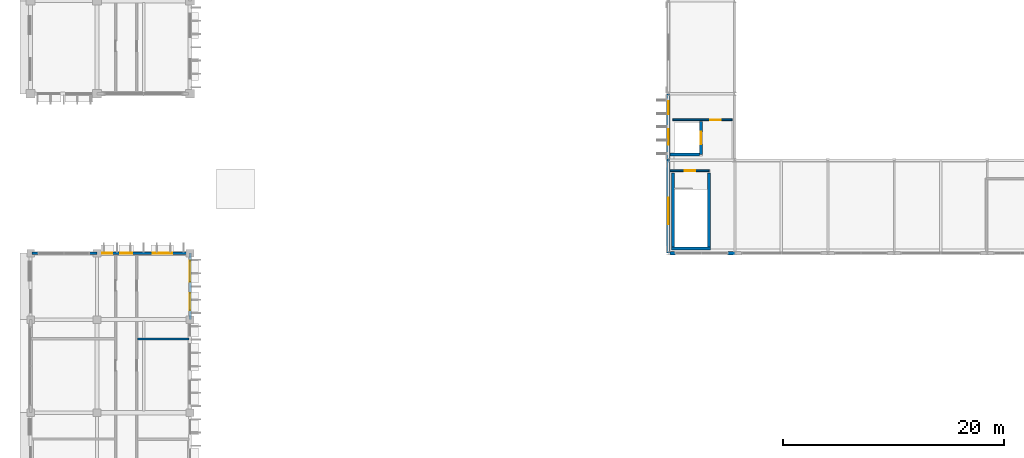
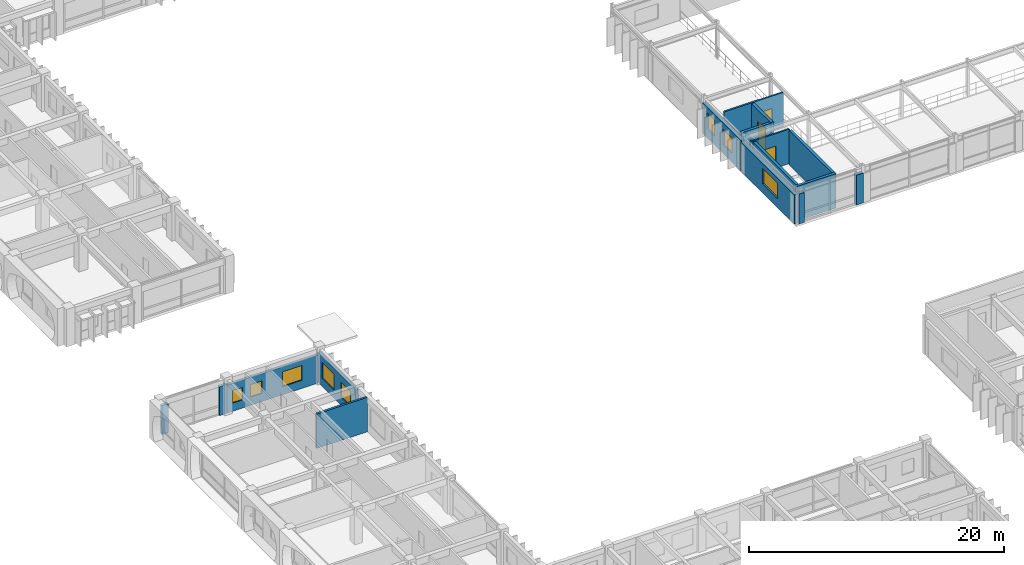
# One storey, part 50 of 88: 16 walls, 8 windows, 3 doors, 11 openings.
"""IFC4 building model written with IfcOpenShell, lengths in metres."""

import ifcopenshell
import ifcopenshell.guid

model = None  # the IFC model being written
_history = None  # IfcOwnerHistory: only IFC2X3 demands one
_inside = {}  # id of a spatial element -> (the spatial element, [elements in it])
_under = {}  # id of a project, library or spatial element -> (it, [spatial elements below it])
_declared = {}  # id of a project -> (the project, [libraries it declares])
_typed = {}  # id of a type object -> (the type object, [elements of that type])
_made_of = {}  # id of a material, layer set ... -> (it, [elements and type objects made of it])


def new_model(schema):
    """Start an empty IFC model of exactly this schema.

    Asked for "IFC4X3", IfcOpenShell would pick the latest addendum, in which some entities
    have other attributes; the version numbers below select the first issue.
    IFC2X3 requires an IfcOwnerHistory on every rooted entity: one is made here for all.
    """
    global model, _history
    if schema == "IFC4X3":
        model = ifcopenshell.file(schema_version=(4, 3, 0, 0))
    else:
        model = ifcopenshell.file(schema=schema)
    _inside.clear()
    _under.clear()
    _declared.clear()
    _typed.clear()
    _made_of.clear()
    _history = None
    if model.schema == "IFC2X3":
        org = make("IfcOrganization", Name="unknown")
        user = make(
            "IfcPersonAndOrganization",
            ThePerson=make("IfcPerson", FamilyName="unknown"),
            TheOrganization=org,
        )
        app = make(
            "IfcApplication",
            ApplicationDeveloper=org,
            Version="unknown",
            ApplicationFullName="unknown",
            ApplicationIdentifier="unknown",
        )
        _history = make(
            "IfcOwnerHistory",
            OwningUser=user,
            OwningApplication=app,
            ChangeAction="ADDED",
            CreationDate=0,
        )
    return model


def make(cls, **values):
    """One entity of the class cls with the attributes given. An attribute that is None is left unset."""
    return model.create_entity(
        cls, **{name: value for name, value in values.items() if value is not None}
    )


def rooted(cls, **values):
    """An entity with a GlobalId (a new one), such as an element, a storey or a relation."""
    return make(cls, GlobalId=ifcopenshell.guid.new(), OwnerHistory=_history, **values)


def si_unit(unit_type, name, prefix=None):
    """IfcSIUnit, for example si_unit("LENGTHUNIT", "METRE", prefix="MILLI")."""
    return make("IfcSIUnit", UnitType=unit_type, Prefix=prefix, Name=name)


def assignment(units):
    """IfcUnitAssignment: the units of a project."""
    return None if units is None else make("IfcUnitAssignment", Units=units)


def point(xyz):
    """IfcCartesianPoint."""
    return None if xyz is None else make("IfcCartesianPoint", Coordinates=xyz)


def direction(xyz):
    """IfcDirection."""
    return None if xyz is None else make("IfcDirection", DirectionRatios=xyz)


def frame(location, z_axis=None, x_axis=None):
    """IfcAxis2Placement3D, a coordinate frame: its origin and axes. An axis left out is left unset."""
    return make(
        "IfcAxis2Placement3D",
        Location=point(location),
        Axis=direction(z_axis),
        RefDirection=direction(x_axis),
    )


def frame_2d(location, x_axis=None):
    """IfcAxis2Placement2D, a coordinate frame in the plane: its origin and x axis."""
    return make(
        "IfcAxis2Placement2D", Location=point(location), RefDirection=direction(x_axis)
    )


def origin():
    """The frame at (0, 0, 0) with its axes left unset."""
    return frame((0.0, 0.0, 0.0))


def place(relative_to, where):
    """IfcLocalPlacement: puts the frame where relative to a parent placement (None: the world)."""
    return make(
        "IfcLocalPlacement", PlacementRelTo=relative_to, RelativePlacement=where
    )


def context(
    kind, dimensions, precision=None, world=None, true_north=None, identifier=None
):
    """IfcGeometricRepresentationContext, for example the 3D "Model" context."""
    return make(
        "IfcGeometricRepresentationContext",
        ContextIdentifier=identifier,
        ContextType=kind,
        CoordinateSpaceDimension=dimensions,
        Precision=precision,
        WorldCoordinateSystem=world,
        TrueNorth=true_north,
    )


def subcontext(parent, identifier, kind, view, scale=None):
    """IfcGeometricRepresentationSubContext, for example "Body" below "Model"."""
    return make(
        "IfcGeometricRepresentationSubContext",
        ContextIdentifier=identifier,
        ContextType=kind,
        ParentContext=parent,
        TargetScale=scale,
        TargetView=view,
    )


def project(units=None, contexts=None):
    """IfcProject with its units and contexts."""
    return rooted(
        "IfcProject",
        Name="project",
        RepresentationContexts=contexts,
        UnitsInContext=assignment(units),
    )


def spatial(cls, under=None, at=None, **own):
    """A site, building, storey or space (cls), placed at a placement, below another one or the project."""
    s = rooted(cls, ObjectPlacement=at, **own)
    if under is not None:
        _under.setdefault(under.id(), (under, []))[1].append(s)
    return s


def profile(cls, at=None, kind="AREA", **sizes):
    """A parametric profile (cls). Its sizes go by their IFC names, for example OverallWidth=200.0."""
    return make(cls, ProfileType=kind, Position=at, **sizes)


def rectangle(**sizes):
    """IfcRectangleProfileDef."""
    return profile("IfcRectangleProfileDef", **sizes)


def extrude(swept, where, along, depth):
    """IfcExtrudedAreaSolid: the profile swept, set in the frame where, extruded along a direction by depth."""
    return make(
        "IfcExtrudedAreaSolid",
        SweptArea=swept,
        Position=where,
        ExtrudedDirection=direction(along),
        Depth=depth,
    )


def shape(context_of_items, identifier, shape_type, items):
    """IfcShapeRepresentation: the items that make up one representation, for example the "Body"."""
    return make(
        "IfcShapeRepresentation",
        ContextOfItems=context_of_items,
        RepresentationIdentifier=identifier,
        RepresentationType=shape_type,
        Items=items,
    )


def material(Name=None, Category=None):
    """IfcMaterial."""
    return make("IfcMaterial", Name=Name, Category=Category)


def layer(
    of_material, thickness, ventilated=None, Name=None, Category=None, Priority=None
):
    """IfcMaterialLayer: one layer of a wall or slab, of a material (None: an air gap)."""
    return make(
        "IfcMaterialLayer",
        Material=of_material,
        LayerThickness=thickness,
        IsVentilated=ventilated,
        Name=Name,
        Category=Category,
        Priority=Priority,
    )


def layer_set(layers, Name=None):
    """IfcMaterialLayerSet."""
    return make("IfcMaterialLayerSet", MaterialLayers=layers, LayerSetName=Name)


def made_of(thing, what):
    """Note that an element or type object is made of a material, layer set ...; save() writes the relation."""
    if what is not None:
        _made_of.setdefault(what.id(), (what, []))[1].append(thing)
    return thing


def type_object(cls, material=None, **own):
    """A type object (cls), such as IfcWallType, which elements share."""
    return made_of(rooted(cls, **own), material)


def element(
    cls,
    number,
    at=None,
    inside=None,
    cuts=None,
    type_object=None,
    material=None,
    context=None,
    identifier="Body",
    shape_type=None,
    held_by="IfcProductDefinitionShape",
    body=None,
    shapes=None,
    **own,
):
    """One element of the class cls, such as IfcWall. Its Tag is "e" and its number.

    at: its placement. inside: the storey or other place that contains it. cuts: it is an
    opening in that element (IfcRelVoidsElement). A single representation is given by context,
    identifier, shape_type and body (its items); several are given by shapes. held_by: the class
    of the entity that holds the representations. save() writes the other relations.
    """
    e = rooted(cls, Tag="e%d" % number, ObjectPlacement=at, **own)
    if body is not None:
        shapes = [shape(context, identifier, shape_type, body)]
    if shapes is not None:
        e.Representation = make(held_by, Representations=shapes)
    if inside is not None:
        _inside.setdefault(inside.id(), (inside, []))[1].append(e)
    if cuts is not None:
        rooted(
            "IfcRelVoidsElement", RelatingBuildingElement=cuts, RelatedOpeningElement=e
        )
    if type_object is not None:
        _typed.setdefault(type_object.id(), (type_object, []))[1].append(e)
    return made_of(e, material)


def fill(opening, filler):
    """IfcRelFillsElement: the door or window that sits in an opening."""
    return rooted(
        "IfcRelFillsElement",
        RelatingOpeningElement=opening,
        RelatedBuildingElement=filler,
    )


def aggregate(whole, parts):
    """IfcRelAggregates: a whole, such as a stair, and the parts it consists of."""
    return rooted("IfcRelAggregates", RelatingObject=whole, RelatedObjects=parts)


def save(model, path):
    """Write the relations noted so far, then the file.

    IfcRelAggregates (storeys below a building ...), IfcRelContainedInSpatialStructure (elements
    in a storey), IfcRelDefinesByType, IfcRelAssociatesMaterial and IfcRelDeclares: one each for
    every whole, place, type object, material and project.
    """
    for whole, parts in _under.values():
        aggregate(whole, parts)
    for where, things in _inside.values():
        rooted(
            "IfcRelContainedInSpatialStructure",
            RelatedElements=things,
            RelatingStructure=where,
        )
    for kind, things in _typed.values():
        rooted("IfcRelDefinesByType", RelatedObjects=things, RelatingType=kind)
    for what, things in _made_of.values():
        rooted("IfcRelAssociatesMaterial", RelatedObjects=things, RelatingMaterial=what)
    for by, libraries in _declared.values():
        rooted("IfcRelDeclares", RelatingContext=by, RelatedDefinitions=libraries)
    model.write(path)


model = new_model("IFC4")

# Units and contexts
model_context = context("Model", 3, precision=1e-05, world=origin(), true_north=direction((0.0, 1.0)))
body_context = subcontext(model_context, "Body", "Model", "MODEL_VIEW")
ifc_project = project(units=[si_unit("LENGTHUNIT", "METRE"), si_unit("AREAUNIT", "SQUARE_METRE"), si_unit("VOLUMEUNIT", "CUBIC_METRE"), si_unit("PLANEANGLEUNIT", "RADIAN"), si_unit("MASSUNIT", "GRAM", prefix="KILO"), si_unit("THERMODYNAMICTEMPERATUREUNIT", "KELVIN")], contexts=[model_context])

# Site, building, storey
site_placement = place(None, origin())
site = spatial("IfcSite", under=ifc_project, at=site_placement, CompositionType="ELEMENT")
building_placement = place(site_placement, origin())
building = spatial("IfcBuilding", under=site, at=building_placement, Name="Thalorik Housing Commons", CompositionType="ELEMENT")
storey_placement = place(building_placement, frame((0.0, 0.0, 4.5)))
storey = spatial("IfcBuildingStorey", under=building, at=storey_placement, Name="L01", CompositionType="ELEMENT", Elevation=4.5)

# Walls
ifc_material_1 = material(Name="Concrete C40/50", Category="concrete")
ifc_layer_1 = layer(ifc_material_1, 0.25, Name="Concrete C40/50", Category="concrete")
ifc_layer_set_1 = layer_set([ifc_layer_1], Name="Concrete C40/50")
wall_type_1 = type_object("IfcWallType", Name="ARC-WAL-CORE-250", PredefinedType="SHEAR", material=ifc_layer_set_1)
for number, where, z_axis, x_axis, name in (
    (1, (66.425048828125, 64.85009765625, 0.0), (0.0, 0.0, 1.0), (0.0, -1.0, 0.0), "L01 Stair ST-H1 Structural Support Wall L"),
    (2, (69.675048828125, 64.85009765625, 0.0), (0.0, 0.0, 1.0), (0.0, -1.0, 0.0), "L01 Stair ST-H1 Structural Support Wall R"),
):
    element("IfcWall", number, at=place(storey_placement, frame(where, z_axis=z_axis, x_axis=x_axis)), inside=storey, type_object=wall_type_1, Name=name, PredefinedType="SHEAR", context=body_context, shape_type="SweptSolid", body=[
        extrude(rectangle(XDim=6.7001953125, YDim=0.25, at=frame_2d((3.35009765625, 0.0))), origin(), (0.0, 0.0, 1.0), 3.300048828125),
    ])
wall_1_placement = place(storey_placement, frame((66.300048828125, 58.02490234375, 0.0), z_axis=(0.0, 0.0, 1.0), x_axis=(1.0, 0.0, 0.0)))
element("IfcWall", 3, at=wall_1_placement, inside=storey, type_object=wall_type_1, Name="L01 Stair ST-H1 Structural Support Wall F", PredefinedType="SHEAR", context=body_context, shape_type="SweptSolid", body=[
    extrude(rectangle(XDim=3.5, YDim=0.25, at=frame_2d((1.75, 0.0))), origin(), (0.0, 0.0, 1.0), 3.300048828125),
])

# Wall, opening, door
wall_2_placement = place(storey_placement, frame((68.949951171875, 66.5, 0.0), z_axis=(0.0, 0.0, 1.0), x_axis=(0.0, 1.0, 0.0)))
wall_2 = element("IfcWall", 4, at=wall_2_placement, inside=storey, type_object=wall_type_1, Name="L01 Lift LP-H1 Front Wall", PredefinedType="SHEAR", context=body_context, shape_type="SweptSolid", body=[
    extrude(rectangle(XDim=3.0, YDim=0.25, at=frame_2d((1.5, 0.0))), origin(), (0.0, 0.0, 1.0), 3.300048828125),
])
opening_1_placement = place(wall_2_placement, frame((0.949951171875, 0.0, 0.0)))
opening_1 = element("IfcOpeningElement", 5, at=opening_1_placement, cuts=wall_2, Name="Opening LD-LP-H1-L01", PredefinedType="OPENING", context=body_context, shape_type="SweptSolid", body=[
    extrude(rectangle(XDim=1.10009765625, YDim=2.14990234375, at=frame_2d((0.550048828125, 1.074951171875))), frame((0.0, 0.135009765625, 0.0), z_axis=(0.0, -1.0, 0.0), x_axis=(1.0, 0.0, 0.0)), (0.0, 0.0, 1.0), 0.27001953125),
])
ifc_material_2 = material(Name="Steel S355", Category="steel")
door_type_1 = type_object("IfcDoorType", Name="ARC-DR-LIFT-1100", OperationType="NOTDEFINED", PredefinedType="DOOR", material=ifc_material_2)
door_1_placement = place(opening_1_placement, origin())
door_1 = element("IfcDoor", 6, at=door_1_placement, inside=storey, type_object=door_type_1, Name="L01 Lift LP-H1 Landing Door", OperationType="SLIDING_TO_LEFT", OverallHeight=2.14990234375, OverallWidth=1.10009765625, PredefinedType="DOOR", context=body_context, shape_type="SweptSolid", body=[
    extrude(rectangle(XDim=1.10009765625, YDim=2.14990234375, at=frame_2d((0.550048828125, 1.074951171875))), frame((0.0, 0.02490234375, 0.0), z_axis=(0.0, -1.0, 0.0), x_axis=(1.0, 0.0, 0.0)), (0.0, 0.0, 1.0), 0.050048828125),
])
fill(opening_1, door_1)

# Wall
wall_3_placement = place(storey_placement, frame((66.139892578125, 66.52001953125, 0.0), z_axis=(0.0, 0.0, 1.0), x_axis=(1.0, 0.0, 0.0)))
element("IfcWall", 7, at=wall_3_placement, inside=storey, type_object=wall_type_1, Name="L01 Lift LP-H1 South Shaft Wall", PredefinedType="SHEAR", context=body_context, shape_type="SweptSolid", body=[
    extrude(rectangle(XDim=2.68017578125, YDim=0.25, at=frame_2d((1.340087890625, 0.0))), origin(), (0.0, 0.0, 1.0), 3.300048828125),
])

# Wall, openings, windows
ifc_material_3 = material(Name="White precast concrete C40/50", Category="concrete")
ifc_layer_2 = layer(ifc_material_3, 0.235107421875, Name="White precast concrete C40/50", Category="concrete")
ifc_layer_set_2 = layer_set([ifc_layer_2], Name="White precast concrete C40/50")
wall_type_2 = type_object("IfcWallType", Name="ARC-WAL-EXT-235", PredefinedType="STANDARD", material=ifc_layer_set_2)
wall_4_placement = place(storey_placement, frame((22.800048828125, 51.60009765625, 0.0), z_axis=(0.0, 0.0, 1.0), x_axis=(0.0, 1.0, 0.0)))
wall_4 = element("IfcWall", 8, at=wall_4_placement, inside=storey, type_object=wall_type_2, Name="L01 Exterior Wall WAL-EXT-L01-C-0853", PredefinedType="STANDARD", context=body_context, shape_type="SweptSolid", body=[
    extrude(rectangle(XDim=6.0, YDim=0.235107421875, at=frame_2d((3.0, 0.0))), origin(), (0.0, 0.0, 1.0), 2.875),
])
opening_2_placement = place(wall_4_placement, frame((0.8701171875, 0.0, 0.780029296875)))
opening_2 = element("IfcOpeningElement", 9, at=opening_2_placement, cuts=wall_4, Name="Opening W-52", PredefinedType="OPENING", context=body_context, shape_type="SweptSolid", body=[
    extrude(rectangle(XDim=1.52001953125, YDim=1.419921875, at=frame_2d((0.760009765625, 0.7099609375))), frame((0.0, 0.12744140625, 0.0), z_axis=(0.0, -1.0, 0.0), x_axis=(1.0, 0.0, 0.0)), (0.0, 0.0, 1.0), 0.255126953125),
])
opening_3_placement = place(wall_4_placement, frame((3.429931640625, 0.0, 0.780029296875)))
opening_3 = element("IfcOpeningElement", 10, at=opening_3_placement, cuts=wall_4, Name="Opening W-59", PredefinedType="OPENING", context=body_context, shape_type="SweptSolid", body=[
    extrude(rectangle(XDim=1.8798828125, YDim=1.52001953125, at=frame_2d((0.93994140625, 0.760009765625))), frame((0.0, 0.12744140625, 0.0), z_axis=(0.0, -1.0, 0.0), x_axis=(1.0, 0.0, 0.0)), (0.0, 0.0, 1.0), 0.255126953125),
])
ifc_material_4 = material(Name="Anodised aluminium and solar-control low-E glass", Category="aluminium")
window_type_1 = type_object("IfcWindowType", Name="ARC-WIN-52", PartitioningType="SINGLE_PANEL", PredefinedType="WINDOW", material=ifc_material_4)
window_1_placement = place(opening_2_placement, origin())
window_1 = element("IfcWindow", 11, at=window_1_placement, inside=storey, type_object=window_type_1, Name="L01 Facade Window 1581", OverallHeight=1.419921875, OverallWidth=1.52001953125, PartitioningType="SINGLE_PANEL", PredefinedType="WINDOW", context=body_context, shape_type="SweptSolid", body=[
    extrude(rectangle(XDim=1.52001953125, YDim=1.419921875, at=frame_2d((0.760009765625, 0.7099609375))), frame((0.0, 0.030029296875, 0.0), z_axis=(0.0, -1.0, 0.0), x_axis=(1.0, 0.0, 0.0)), (0.0, 0.0, 1.0), 0.06005859375),
])
fill(opening_2, window_1)
window_type_2 = type_object("IfcWindowType", Name="ARC-WIN-59", PartitioningType="DOUBLE_PANEL_VERTICAL", PredefinedType="WINDOW", material=ifc_material_4)
window_2_placement = place(opening_3_placement, origin())
window_2 = element("IfcWindow", 12, at=window_2_placement, inside=storey, type_object=window_type_2, Name="L01 Facade Window 1582", OverallHeight=1.52001953125, OverallWidth=1.8798828125, PartitioningType="DOUBLE_PANEL_VERTICAL", PredefinedType="WINDOW", context=body_context, shape_type="SweptSolid", body=[
    extrude(rectangle(XDim=1.8798828125, YDim=1.52001953125, at=frame_2d((0.93994140625, 0.760009765625))), frame((0.0, 0.030029296875, 0.0), z_axis=(0.0, -1.0, 0.0), x_axis=(1.0, 0.0, 0.0)), (0.0, 0.0, 1.0), 0.06005859375),
])
fill(opening_3, window_2)

wall_5_placement = place(storey_placement, frame((22.800048828125, 57.60009765625, 0.0), z_axis=(0.0, 0.0, 1.0), x_axis=(-1.0, 0.0, 0.0)))
wall_5 = element("IfcWall", 13, at=wall_5_placement, inside=storey, type_object=wall_type_2, Name="L01 Exterior Wall WAL-EXT-L01-C-0854", PredefinedType="STANDARD", context=body_context, shape_type="SweptSolid", body=[
    extrude(rectangle(XDim=8.400146484375, YDim=0.235107421875, at=frame_2d((4.2001953125, 0.0))), origin(), (0.0, 0.0, 1.0), 2.675048828125),
])
opening_4_placement = place(wall_5_placement, frame((1.614990234375, 0.0, 0.780029296875)))
opening_4 = element("IfcOpeningElement", 14, at=opening_4_placement, cuts=wall_5, Name="Opening W-57", PredefinedType="OPENING", context=body_context, shape_type="SweptSolid", body=[
    extrude(rectangle(XDim=1.780029296875, YDim=1.419921875, at=frame_2d((0.89013671875, 0.7099609375))), frame((0.0, 0.12744140625, 0.0), z_axis=(0.0, -1.0, 0.0), x_axis=(1.0, 0.0, 0.0)), (0.0, 0.0, 1.0), 0.255126953125),
])
opening_5_placement = place(wall_5_placement, frame((5.2451171875, 0.0, 0.780029296875)))
opening_5 = element("IfcOpeningElement", 15, at=opening_5_placement, cuts=wall_5, Name="Opening W-44", PredefinedType="OPENING", context=body_context, shape_type="SweptSolid", body=[
    extrude(rectangle(XDim=1.050048828125, YDim=1.199951171875, at=frame_2d((0.52490234375, 0.60009765625))), frame((0.0, 0.12744140625, 0.0), z_axis=(0.0, -1.0, 0.0), x_axis=(1.0, 0.0, 0.0)), (0.0, 0.0, 1.0), 0.255126953125),
])
opening_6_placement = place(wall_5_placement, frame((7.014892578125, 0.0, 0.780029296875)))
opening_6 = element("IfcOpeningElement", 16, at=opening_6_placement, cuts=wall_5, Name="Opening W-01", PredefinedType="OPENING", context=body_context, shape_type="SweptSolid", body=[
    extrude(rectangle(XDim=0.89990234375, YDim=1.199951171875, at=frame_2d((0.449951171875, 0.60009765625))), frame((0.0, 0.12744140625, 0.0), z_axis=(0.0, -1.0, 0.0), x_axis=(1.0, 0.0, 0.0)), (0.0, 0.0, 1.0), 0.255126953125),
])
window_type_3 = type_object("IfcWindowType", Name="ARC-WIN-01", PartitioningType="SINGLE_PANEL", PredefinedType="WINDOW", material=ifc_material_4)
window_3_placement = place(opening_6_placement, origin())
window_3 = element("IfcWindow", 17, at=window_3_placement, inside=storey, type_object=window_type_3, Name="L01 Facade Window 1585", OverallHeight=1.199951171875, OverallWidth=0.89990234375, PartitioningType="SINGLE_PANEL", PredefinedType="WINDOW", context=body_context, shape_type="SweptSolid", body=[
    extrude(rectangle(XDim=0.89990234375, YDim=1.199951171875, at=frame_2d((0.449951171875, 0.60009765625))), frame((0.0, 0.030029296875, 0.0), z_axis=(0.0, -1.0, 0.0), x_axis=(1.0, 0.0, 0.0)), (0.0, 0.0, 1.0), 0.06005859375),
])
fill(opening_6, window_3)
window_type_4 = type_object("IfcWindowType", Name="ARC-WIN-44", PartitioningType="SINGLE_PANEL", PredefinedType="WINDOW", material=ifc_material_4)
window_4_placement = place(opening_5_placement, origin())
window_4 = element("IfcWindow", 18, at=window_4_placement, inside=storey, type_object=window_type_4, Name="L01 Facade Window 1584", OverallHeight=1.199951171875, OverallWidth=1.050048828125, PartitioningType="SINGLE_PANEL", PredefinedType="WINDOW", context=body_context, shape_type="SweptSolid", body=[
    extrude(rectangle(XDim=1.050048828125, YDim=1.199951171875, at=frame_2d((0.52490234375, 0.60009765625))), frame((0.0, 0.030029296875, 0.0), z_axis=(0.0, -1.0, 0.0), x_axis=(1.0, 0.0, 0.0)), (0.0, 0.0, 1.0), 0.06005859375),
])
fill(opening_5, window_4)
window_type_5 = type_object("IfcWindowType", Name="ARC-WIN-57", PartitioningType="DOUBLE_PANEL_VERTICAL", PredefinedType="WINDOW", material=ifc_material_4)
window_5_placement = place(opening_4_placement, origin())
window_5 = element("IfcWindow", 19, at=window_5_placement, inside=storey, type_object=window_type_5, Name="L01 Facade Window 1583", OverallHeight=1.419921875, OverallWidth=1.780029296875, PartitioningType="DOUBLE_PANEL_VERTICAL", PredefinedType="WINDOW", context=body_context, shape_type="SweptSolid", body=[
    extrude(rectangle(XDim=1.780029296875, YDim=1.419921875, at=frame_2d((0.89013671875, 0.7099609375))), frame((0.0, 0.030029296875, 0.0), z_axis=(0.0, -1.0, 0.0), x_axis=(1.0, 0.0, 0.0)), (0.0, 0.0, 1.0), 0.06005859375),
])
fill(opening_4, window_5)

# Walls
wall_6_placement = place(storey_placement, frame((14.39990234375, 57.60009765625, 0.0), z_axis=(0.0, 0.0, 1.0), x_axis=(-1.0, 0.0, 0.0)))
element("IfcWall", 20, at=wall_6_placement, inside=storey, type_object=wall_type_2, Name="L01 Exterior Wall WAL-PIERL-L01-C-0855", PredefinedType="STANDARD", context=body_context, shape_type="SweptSolid", body=[
    extrude(rectangle(XDim=0.699951171875, YDim=0.235107421875, at=frame_2d((0.35009765625, 0.0))), origin(), (0.0, 0.0, 1.0), 2.77490234375),
])
wall_7_placement = place(storey_placement, frame((9.10009765625, 57.60009765625, 0.0), z_axis=(0.0, 0.0, 1.0), x_axis=(-1.0, 0.0, 0.0)))
element("IfcWall", 21, at=wall_7_placement, inside=storey, type_object=wall_type_2, Name="L01 Exterior Wall WAL-PIERR-L01-C-0855", PredefinedType="STANDARD", context=body_context, shape_type="SweptSolid", body=[
    extrude(rectangle(XDim=0.58056640625, YDim=0.235107421875, at=frame_2d((0.290283203125, 0.0))), origin(), (0.0, 0.0, 1.0), 2.77490234375),
])
ifc_layer_3 = layer(ifc_material_3, 0.320068359375, Name="White precast concrete C40/50", Category="concrete")
ifc_layer_set_3 = layer_set([ifc_layer_3], Name="White precast concrete C40/50")
wall_type_3 = type_object("IfcWallType", Name="ARC-WAL-EXT-320", PredefinedType="STANDARD", material=ifc_layer_set_3)
wall_8_placement = place(storey_placement, frame((66.162109375, 57.60009765625, 0.0), z_axis=(0.0, 0.0, 1.0), x_axis=(1.0, 0.0, 0.0)))
element("IfcWall", 22, at=wall_8_placement, inside=storey, type_object=wall_type_3, Name="L01 Exterior Wall WAL-HALLPL-L01-1301", PredefinedType="STANDARD", context=body_context, shape_type="SweptSolid", body=[
    extrude(rectangle(XDim=0.48779296875, YDim=0.320068359375, at=frame_2d((0.243896484375, 0.0))), origin(), (0.0, 0.0, 1.0), 2.862060546875),
])
wall_9_placement = place(storey_placement, frame((71.35009765625, 57.60009765625, 0.0), z_axis=(0.0, 0.0, 1.0), x_axis=(1.0, 0.0, 0.0)))
element("IfcWall", 23, at=wall_9_placement, inside=storey, type_object=wall_type_3, Name="L01 Exterior Wall WAL-HALLPR-L01-1301", PredefinedType="STANDARD", context=body_context, shape_type="SweptSolid", body=[
    extrude(rectangle(XDim=0.64990234375, YDim=0.320068359375, at=frame_2d((0.324951171875, 0.0))), origin(), (0.0, 0.0, 1.0), 2.862060546875),
])

# Wall, openings, windows
wall_10_placement = place(storey_placement, frame((66.0, 72.0, 0.0), z_axis=(0.0, 0.0, 1.0), x_axis=(0.0, -1.0, 0.0)))
wall_10 = element("IfcWall", 24, at=wall_10_placement, inside=storey, type_object=wall_type_3, Name="L01 Exterior Wall WAL-HALL-L01-1321", PredefinedType="STANDARD", context=body_context, shape_type="SweptSolid", body=[
    extrude(rectangle(XDim=6.0, YDim=0.320068359375, at=frame_2d((3.0, 0.0))), origin(), (0.0, 0.0, 1.0), 2.912109375),
])
opening_7_placement = place(wall_10_placement, frame((0.669921875, 0.0, 0.85009765625)))
opening_7 = element("IfcOpeningElement", 25, at=opening_7_placement, cuts=wall_10, Name="Opening W-05", PredefinedType="OPENING", context=body_context, shape_type="SweptSolid", body=[
    extrude(rectangle(XDim=1.199951171875, YDim=1.5, at=frame_2d((0.60009765625, 0.75))), frame((0.0, 0.169921875, 0.0), z_axis=(0.0, -1.0, 0.0), x_axis=(1.0, 0.0, 0.0)), (0.0, 0.0, 1.0), 0.340087890625),
])
opening_8_placement = place(wall_10_placement, frame((3.215087890625, 0.0, 0.85009765625)))
opening_8 = element("IfcOpeningElement", 26, at=opening_8_placement, cuts=wall_10, Name="Opening W-08", PredefinedType="OPENING", context=body_context, shape_type="SweptSolid", body=[
    extrude(rectangle(XDim=1.39990234375, YDim=1.449951171875, at=frame_2d((0.699951171875, 0.72509765625))), frame((0.0, 0.169921875, 0.0), z_axis=(0.0, -1.0, 0.0), x_axis=(1.0, 0.0, 0.0)), (0.0, 0.0, 1.0), 0.340087890625),
])
window_type_6 = type_object("IfcWindowType", Name="ARC-WIN-05", PartitioningType="SINGLE_PANEL", PredefinedType="WINDOW", material=ifc_material_4)
window_6_placement = place(opening_7_placement, origin())
window_6 = element("IfcWindow", 27, at=window_6_placement, inside=storey, type_object=window_type_6, Name="L01 Facade Window 2357", OverallHeight=1.5, OverallWidth=1.199951171875, PartitioningType="SINGLE_PANEL", PredefinedType="WINDOW", context=body_context, shape_type="SweptSolid", body=[
    extrude(rectangle(XDim=1.199951171875, YDim=1.5, at=frame_2d((0.60009765625, 0.75))), frame((0.0, 0.030029296875, 0.0), z_axis=(0.0, -1.0, 0.0), x_axis=(1.0, 0.0, 0.0)), (0.0, 0.0, 1.0), 0.06005859375),
])
fill(opening_7, window_6)
window_type_7 = type_object("IfcWindowType", Name="ARC-WIN-08", PartitioningType="SINGLE_PANEL", PredefinedType="WINDOW", material=ifc_material_4)
window_7_placement = place(opening_8_placement, origin())
window_7 = element("IfcWindow", 28, at=window_7_placement, inside=storey, type_object=window_type_7, Name="L01 Facade Window 2358", OverallHeight=1.449951171875, OverallWidth=1.39990234375, PartitioningType="SINGLE_PANEL", PredefinedType="WINDOW", context=body_context, shape_type="SweptSolid", body=[
    extrude(rectangle(XDim=1.39990234375, YDim=1.449951171875, at=frame_2d((0.699951171875, 0.72509765625))), frame((0.0, 0.030029296875, 0.0), z_axis=(0.0, -1.0, 0.0), x_axis=(1.0, 0.0, 0.0)), (0.0, 0.0, 1.0), 0.06005859375),
])
fill(opening_8, window_7)

# Wall, opening, window
wall_11_placement = place(storey_placement, frame((66.0, 66.0, 0.0), z_axis=(0.0, 0.0, 1.0), x_axis=(0.0, -1.0, 0.0)))
wall_11 = element("IfcWall", 29, at=wall_11_placement, inside=storey, type_object=wall_type_3, Name="L01 Exterior Wall WAL-HALL-L01-1322", PredefinedType="STANDARD", context=body_context, shape_type="SweptSolid", body=[
    extrude(rectangle(XDim=8.39990234375, YDim=0.320068359375, at=frame_2d((4.199951171875, 0.0))), origin(), (0.0, 0.0, 1.0), 2.7900390625),
])
opening_9_placement = place(wall_11_placement, frame((3.389892578125, 0.0, 0.85009765625)))
opening_9 = element("IfcOpeningElement", 30, at=opening_9_placement, cuts=wall_11, Name="Opening W-69", PredefinedType="OPENING", context=body_context, shape_type="SweptSolid", body=[
    extrude(rectangle(XDim=2.3798828125, YDim=1.47998046875, at=frame_2d((1.18994140625, 0.739990234375))), frame((0.0, 0.169921875, 0.0), z_axis=(0.0, -1.0, 0.0), x_axis=(1.0, 0.0, 0.0)), (0.0, 0.0, 1.0), 0.340087890625),
])
window_type_8 = type_object("IfcWindowType", Name="ARC-WIN-69", PartitioningType="DOUBLE_PANEL_VERTICAL", PredefinedType="WINDOW", material=ifc_material_4)
window_8_placement = place(opening_9_placement, origin())
window_8 = element("IfcWindow", 31, at=window_8_placement, inside=storey, type_object=window_type_8, Name="L01 Facade Window 2359", OverallHeight=1.47998046875, OverallWidth=2.3798828125, PartitioningType="DOUBLE_PANEL_VERTICAL", PredefinedType="WINDOW", context=body_context, shape_type="SweptSolid", body=[
    extrude(rectangle(XDim=2.3798828125, YDim=1.47998046875, at=frame_2d((1.18994140625, 0.739990234375))), frame((0.0, 0.030029296875, 0.0), z_axis=(0.0, -1.0, 0.0), x_axis=(1.0, 0.0, 0.0)), (0.0, 0.0, 1.0), 0.06005859375),
])
fill(opening_9, window_8)

# Wall, opening, door
ifc_material_5 = material(Name="Ceramic masonry partition wall", Category="masonry")
ifc_layer_4 = layer(ifc_material_5, 0.14794921875, Name="Ceramic masonry partition wall", Category="masonry")
ifc_layer_set_4 = layer_set([ifc_layer_4], Name="Ceramic masonry partition wall")
wall_type_4 = type_object("IfcWallType", Name="ARC-WAL-PART-150", PredefinedType="PARTITIONING", material=ifc_layer_set_4)
wall_12_placement = place(storey_placement, frame((66.39990234375, 69.64990234375, 0.0), z_axis=(0.0, 0.0, 1.0), x_axis=(1.0, 0.0, 0.0)))
wall_12 = element("IfcWall", 32, at=wall_12_placement, inside=storey, type_object=wall_type_4, Name="L01 Control Room Partition", PredefinedType="PARTITIONING", context=body_context, shape_type="SweptSolid", body=[
    extrude(rectangle(XDim=5.35009765625, YDim=0.14794921875, at=frame_2d((2.675048828125, 0.0))), origin(), (0.0, 0.0, 1.0), 3.300048828125),
])
opening_10_placement = place(wall_12_placement, frame((3.39990234375, 0.0, 0.0)))
opening_10 = element("IfcOpeningElement", 33, at=opening_10_placement, cuts=wall_12, Name="Opening ID-2183", PredefinedType="OPENING", context=body_context, shape_type="SweptSolid", body=[
    extrude(rectangle(XDim=0.949951171875, YDim=2.10009765625, at=frame_2d((0.47509765625, 1.050048828125))), frame((0.0, 0.083984375, 0.0), z_axis=(0.0, -1.0, 0.0), x_axis=(1.0, 0.0, 0.0)), (0.0, 0.0, 1.0), 0.16796875),
])
door_type_2 = type_object("IfcDoorType", Name="ARC-DR-FD60-950", OperationType="NOTDEFINED", PredefinedType="DOOR", material=ifc_material_2)
door_2_placement = place(opening_10_placement, origin())
door_2 = element("IfcDoor", 34, at=door_2_placement, inside=storey, type_object=door_type_2, Name="L01 Control Room Door", OperationType="SINGLE_SWING_LEFT", OverallHeight=2.10009765625, OverallWidth=0.949951171875, PredefinedType="DOOR", context=body_context, shape_type="SweptSolid", body=[
    extrude(rectangle(XDim=0.949951171875, YDim=2.10009765625, at=frame_2d((0.47509765625, 1.050048828125))), frame((0.0, 0.02490234375, 0.0), z_axis=(0.0, -1.0, 0.0), x_axis=(1.0, 0.0, 0.0)), (0.0, 0.0, 1.0), 0.050048828125),
])
fill(opening_10, door_2)

wall_13_placement = place(storey_placement, frame((66.139892578125, 65.050048828125, 0.0), z_axis=(0.0, 0.0, 1.0), x_axis=(1.0, 0.0, 0.0)))
wall_13 = element("IfcWall", 35, at=wall_13_placement, inside=storey, type_object=wall_type_4, Name="L01 Hall West Stair North Wall", PredefinedType="PARTITIONING", context=body_context, shape_type="SweptSolid", body=[
    extrude(rectangle(XDim=3.5400390625, YDim=0.14794921875, at=frame_2d((1.77001953125, 0.0))), origin(), (0.0, 0.0, 1.0), 3.300048828125),
])
opening_11_placement = place(wall_13_placement, frame((1.35009765625, 0.0, 0.0)))
opening_11 = element("IfcOpeningElement", 36, at=opening_11_placement, cuts=wall_13, Name="Opening ID-2188", PredefinedType="OPENING", context=body_context, shape_type="SweptSolid", body=[
    extrude(rectangle(XDim=0.949951171875, YDim=2.10009765625, at=frame_2d((0.47509765625, 1.050048828125))), frame((0.0, 0.083984375, 0.0), z_axis=(0.0, -1.0, 0.0), x_axis=(1.0, 0.0, 0.0)), (0.0, 0.0, 1.0), 0.16796875),
])
door_3_placement = place(opening_11_placement, origin())
door_3 = element("IfcDoor", 37, at=door_3_placement, inside=storey, type_object=door_type_2, Name="L01 Stair ST-H1 Fire Door", OperationType="SINGLE_SWING_LEFT", OverallHeight=2.10009765625, OverallWidth=0.949951171875, PredefinedType="DOOR", context=body_context, shape_type="SweptSolid", body=[
    extrude(rectangle(XDim=0.949951171875, YDim=2.10009765625, at=frame_2d((0.47509765625, 1.050048828125))), frame((0.0, 0.02490234375, 0.0), z_axis=(0.0, -1.0, 0.0), x_axis=(1.0, 0.0, 0.0)), (0.0, 0.0, 1.0), 0.050048828125),
])
fill(opening_11, door_3)

# Wall
ifc_material_6 = material(Name="Masonry acoustic blockwork wall", Category="masonry")
ifc_layer_5 = layer(ifc_material_6, 0.18505859375, Name="Masonry acoustic blockwork wall", Category="masonry")
ifc_layer_set_5 = layer_set([ifc_layer_5], Name="Masonry acoustic blockwork wall")
wall_type_5 = type_object("IfcWallType", Name="ARC-WAL-PARTY-185", PredefinedType="PARTITIONING", material=ifc_layer_set_5)
wall_14_placement = place(storey_placement, frame((18.064453125, 49.8701171875, 0.0), z_axis=(0.0, 0.0, 1.0), x_axis=(1.0, 0.0, 0.0)))
element("IfcWall", 38, at=wall_14_placement, inside=storey, type_object=wall_type_5, Name="L01 Inter-Tenancy Wall 3B", PredefinedType="PARTITIONING", context=body_context, shape_type="SweptSolid", body=[
    extrude(rectangle(XDim=4.615966796875, YDim=0.18505859375, at=frame_2d((2.30810546875, 0.0))), origin(), (0.0, 0.0, 1.0), 3.300048828125),
])

save(model, "model.ifc")
